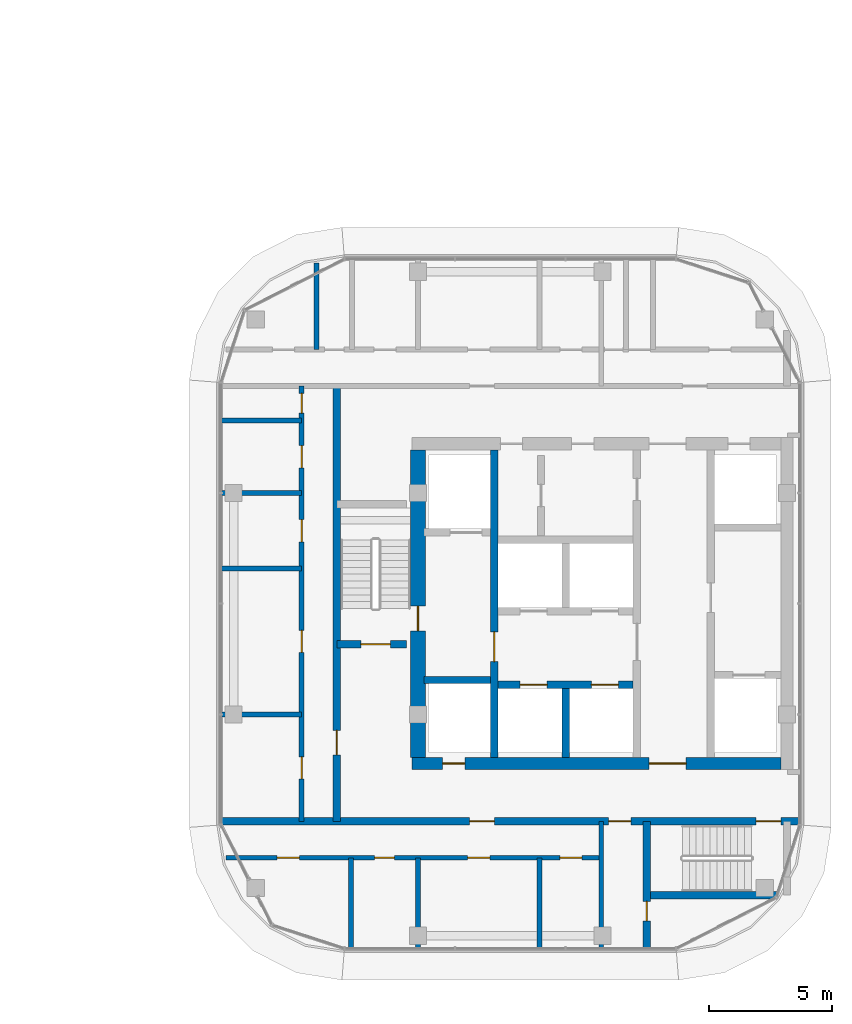
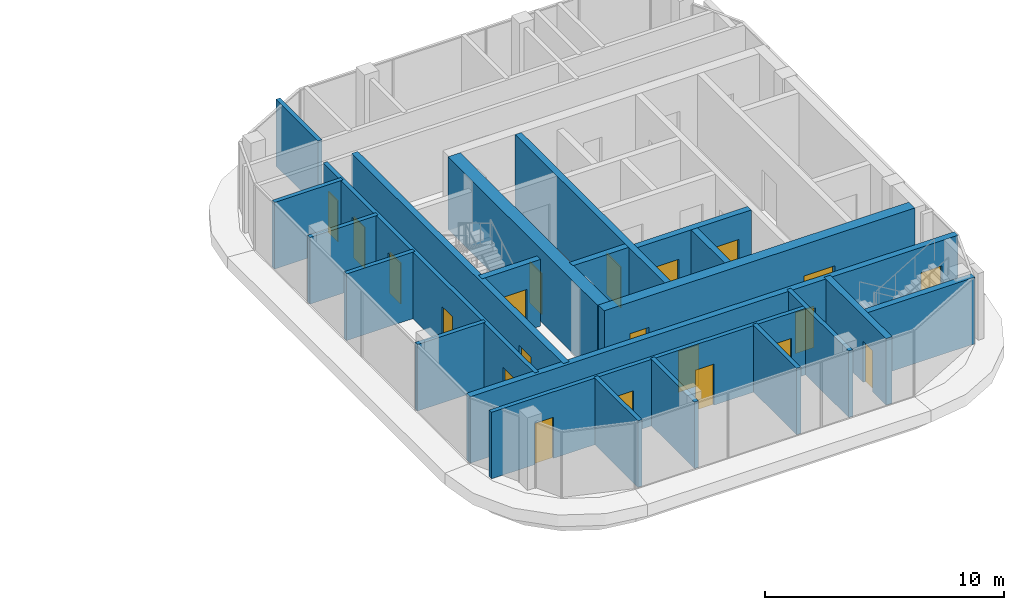
# One storey, part 20 of 33: 22 walls, 21 doors, 21 openings.
"""IFC4 building model written with IfcOpenShell, lengths in metres."""

from ifc_helpers import new_model, si_unit, direction, frame, frame_2d, origin, place, context, subcontext, project, spatial, rectangle, extrude, material, layer, layer_set, type_object, element, fill, save


model = new_model("IFC4")

# Units and contexts
model_context = context("Model", 3, precision=1e-05, world=origin(), true_north=direction((0.0, 1.0)))
body_context = subcontext(model_context, "Body", "Model", "MODEL_VIEW")
ifc_project = project(units=[si_unit("LENGTHUNIT", "METRE"), si_unit("AREAUNIT", "SQUARE_METRE"), si_unit("VOLUMEUNIT", "CUBIC_METRE"), si_unit("PLANEANGLEUNIT", "RADIAN"), si_unit("MASSUNIT", "GRAM", prefix="KILO")], contexts=[model_context])

# Site, building, storey
site_placement = place(None, origin())
site = spatial("IfcSite", under=ifc_project, at=site_placement, CompositionType="ELEMENT")
building_placement = place(site_placement, origin())
building = spatial("IfcBuilding", under=site, at=building_placement, Name="Ogive Portal Towers", CompositionType="ELEMENT")
storey_placement = place(building_placement, frame((0.0, 0.0, 98.199951171875)))
storey = spatial("IfcBuildingStorey", under=building, at=storey_placement, Name="L23", CompositionType="ELEMENT", Elevation=98.199951171875)

# Wall, opening, door
ifc_material_1 = material(Name="Concrete C60/75", Category="concrete")
ifc_layer_1 = layer(ifc_material_1, 0.300048828125)
ifc_layer_set_1 = layer_set([ifc_layer_1], Name="CORE WALL 300 C60")
wall_type_1 = type_object("IfcWallType", Name="CORE WALL 300 C60", PredefinedType="SHEAR", material=ifc_layer_set_1)
wall_1_placement = place(storey_placement, frame((132.10009765625, 24.75, 0.0), z_axis=(0.0, 0.0, 1.0), x_axis=(0.0, 1.0, 0.0)))
wall_1 = element("IfcWall", 1, at=wall_1_placement, inside=storey, type_object=wall_type_1, Name="Tower B core wall BX1 L23", PredefinedType="SHEAR", context=body_context, shape_type="SweptSolid", body=[
    extrude(rectangle(XDim=12.5, YDim=0.300048828125, at=frame_2d((6.25, 0.0))), origin(), (0.0, 0.0, 1.0), 3.699951171875),
])
opening_1_placement = place(wall_1_placement, frame((3.89990234375, 0.0, 0.0)))
opening_1 = element("IfcOpeningElement", 2, at=opening_1_placement, cuts=wall_1, Name="Opening B09-028", PredefinedType="OPENING", context=body_context, shape_type="SweptSolid", body=[
    extrude(rectangle(XDim=1.199951171875, YDim=2.10009765625, at=frame_2d((0.60009765625, 1.050048828125))), frame((0.0, 0.16015625, 0.0), z_axis=(0.0, -1.0, 0.0), x_axis=(1.0, 0.0, 0.0)), (0.0, 0.0, 1.0), 0.320068359375),
])
ifc_material_2 = material(Name="Steel fire door", Category="steel")
door_type_1 = type_object("IfcDoorType", Name="DT-SWING-1200x2100-FD90S", OperationType="SINGLE_SWING_LEFT", PredefinedType="DOOR", material=ifc_material_2)
door_1_placement = place(opening_1_placement, origin())
door_1 = element("IfcDoor", 3, at=door_1_placement, inside=storey, type_object=door_type_1, Name="Door B09-028", OperationType="SINGLE_SWING_LEFT", OverallHeight=2.10009765625, OverallWidth=1.199951171875, PredefinedType="DOOR", context=body_context, shape_type="SweptSolid", body=[
    extrude(rectangle(XDim=1.199951171875, YDim=2.10009765625, at=frame_2d((0.60009765625, 1.050048828125))), frame((0.0, 0.02490234375, 0.0), z_axis=(0.0, -1.0, 0.0), x_axis=(1.0, 0.0, 0.0)), (0.0, 0.0, 1.0), 0.050048828125),
])
fill(opening_1, door_1)

# Wall
wall_2_placement = place(storey_placement, frame((135.0, 24.75, 0.0), z_axis=(0.0, 0.0, 1.0), x_axis=(0.0, 1.0, 0.0)))
element("IfcWall", 4, at=wall_2_placement, inside=storey, type_object=wall_type_1, Name="Tower B core wall BX4 L23", PredefinedType="SHEAR", context=body_context, shape_type="SweptSolid", body=[
    extrude(rectangle(XDim=2.800048828125, YDim=0.300048828125, at=frame_2d((1.39990234375, 0.0))), origin(), (0.0, 0.0, 1.0), 3.699951171875),
])

# Wall, openings, doors
wall_3_placement = place(storey_placement, frame((132.25, 27.699951171875, 0.0), z_axis=(0.0, 0.0, 1.0), x_axis=(1.0, 0.0, 0.0)))
wall_3 = element("IfcWall", 5, at=wall_3_placement, inside=storey, type_object=wall_type_1, Name="Tower B core wall BY1 L23", PredefinedType="SHEAR", context=body_context, shape_type="SweptSolid", body=[
    extrude(rectangle(XDim=5.5, YDim=0.300048828125, at=frame_2d((2.75, 0.0))), origin(), (0.0, 0.0, 1.0), 3.699951171875),
])
opening_2_placement = place(wall_3_placement, frame((0.89990234375, 0.0, 0.0)))
opening_2 = element("IfcOpeningElement", 6, at=opening_2_placement, cuts=wall_3, Name="Opening B09-035", PredefinedType="OPENING", context=body_context, shape_type="SweptSolid", body=[
    extrude(rectangle(XDim=1.10009765625, YDim=2.39990234375, at=frame_2d((0.550048828125, 1.199951171875))), frame((0.0, 0.16015625, 0.0), z_axis=(0.0, -1.0, 0.0), x_axis=(1.0, 0.0, 0.0)), (0.0, 0.0, 1.0), 0.320068359375),
])
opening_3_placement = place(wall_3_placement, frame((3.800048828125, 0.0, 0.0)))
opening_3 = element("IfcOpeningElement", 7, at=opening_3_placement, cuts=wall_3, Name="Opening B09-036", PredefinedType="OPENING", context=body_context, shape_type="SweptSolid", body=[
    extrude(rectangle(XDim=1.10009765625, YDim=2.39990234375, at=frame_2d((0.550048828125, 1.199951171875))), frame((0.0, 0.16015625, 0.0), z_axis=(0.0, -1.0, 0.0), x_axis=(1.0, 0.0, 0.0)), (0.0, 0.0, 1.0), 0.320068359375),
])
ifc_material_3 = material(Name="Stainless steel", Category="steel")
door_type_2 = type_object("IfcDoorType", Name="DT-LD-1100x2400", OperationType="SLIDING_TO_LEFT", PredefinedType="DOOR", material=ifc_material_3)
door_2_placement = place(opening_2_placement, origin())
door_2 = element("IfcDoor", 8, at=door_2_placement, inside=storey, type_object=door_type_2, Name="Door B09-035", OperationType="SLIDING_TO_LEFT", OverallHeight=2.39990234375, OverallWidth=1.10009765625, PredefinedType="DOOR", context=body_context, shape_type="SweptSolid", body=[
    extrude(rectangle(XDim=1.10009765625, YDim=2.39990234375, at=frame_2d((0.550048828125, 1.199951171875))), frame((0.0, 0.02490234375, 0.0), z_axis=(0.0, -1.0, 0.0), x_axis=(1.0, 0.0, 0.0)), (0.0, 0.0, 1.0), 0.050048828125),
])
fill(opening_2, door_2)
door_3_placement = place(opening_3_placement, origin())
door_3 = element("IfcDoor", 9, at=door_3_placement, inside=storey, type_object=door_type_2, Name="Door B09-036", OperationType="SLIDING_TO_LEFT", OverallHeight=2.39990234375, OverallWidth=1.10009765625, PredefinedType="DOOR", context=body_context, shape_type="SweptSolid", body=[
    extrude(rectangle(XDim=1.10009765625, YDim=2.39990234375, at=frame_2d((0.550048828125, 1.199951171875))), frame((0.0, 0.02490234375, 0.0), z_axis=(0.0, -1.0, 0.0), x_axis=(1.0, 0.0, 0.0)), (0.0, 0.0, 1.0), 0.050048828125),
])
fill(opening_3, door_3)

# Wall
wall_4_placement = place(storey_placement, frame((129.25, 27.89990234375, 0.0), z_axis=(0.0, 0.0, 1.0), x_axis=(1.0, 0.0, 0.0)))
element("IfcWall", 10, at=wall_4_placement, inside=storey, type_object=wall_type_1, Name="Tower B core wall BY4 L23", PredefinedType="SHEAR", context=body_context, shape_type="SweptSolid", body=[
    extrude(rectangle(XDim=2.699951171875, YDim=0.300048828125, at=frame_2d((1.35009765625, 0.0))), origin(), (0.0, 0.0, 1.0), 3.699951171875),
])

# Wall, openings, doors
ifc_layer_2 = layer(ifc_material_1, 0.5)
ifc_layer_set_2 = layer_set([ifc_layer_2], Name="CORE WALL 500 C60")
wall_type_2 = type_object("IfcWallType", Name="CORE WALL 500 C60", PredefinedType="SHEAR", material=ifc_layer_set_2)
wall_5_placement = place(storey_placement, frame((128.75, 24.5, 0.0), z_axis=(0.0, 0.0, 1.0), x_axis=(1.0, 0.0, 0.0)))
wall_5 = element("IfcWall", 11, at=wall_5_placement, inside=storey, type_object=wall_type_2, Name="Tower B core wall BS L23", PredefinedType="SHEAR", context=body_context, shape_type="SweptSolid", body=[
    extrude(rectangle(XDim=15.0, YDim=0.5, at=frame_2d((7.5, 0.0))), origin(), (0.0, 0.0, 1.0), 3.699951171875),
])
opening_4_placement = place(wall_5_placement, frame((9.64990234375, 0.0, 0.0)))
opening_4 = element("IfcOpeningElement", 12, at=opening_4_placement, cuts=wall_5, Name="Opening B09-031", PredefinedType="OPENING", context=body_context, shape_type="SweptSolid", body=[
    extrude(rectangle(XDim=1.5, YDim=2.10009765625, at=frame_2d((0.75, 1.050048828125))), frame((0.0, 0.260009765625, 0.0), z_axis=(0.0, -1.0, 0.0), x_axis=(1.0, 0.0, 0.0)), (0.0, 0.0, 1.0), 0.52001953125),
])
opening_5_placement = place(wall_5_placement, frame((1.25, 0.0, 0.0)))
opening_5 = element("IfcOpeningElement", 13, at=opening_5_placement, cuts=wall_5, Name="Opening B09-033", PredefinedType="OPENING", context=body_context, shape_type="SweptSolid", body=[
    extrude(rectangle(XDim=0.89990234375, YDim=2.10009765625, at=frame_2d((0.449951171875, 1.050048828125))), frame((0.0, 0.260009765625, 0.0), z_axis=(0.0, -1.0, 0.0), x_axis=(1.0, 0.0, 0.0)), (0.0, 0.0, 1.0), 0.52001953125),
])
door_type_3 = type_object("IfcDoorType", Name="DT-SWING-1500x2100-FD90S", OperationType="SINGLE_SWING_LEFT", PredefinedType="DOOR", material=ifc_material_2)
door_4_placement = place(opening_4_placement, origin())
door_4 = element("IfcDoor", 14, at=door_4_placement, inside=storey, type_object=door_type_3, Name="Door B09-031", OperationType="SINGLE_SWING_LEFT", OverallHeight=2.10009765625, OverallWidth=1.5, PredefinedType="DOOR", context=body_context, shape_type="SweptSolid", body=[
    extrude(rectangle(XDim=1.5, YDim=2.10009765625, at=frame_2d((0.75, 1.050048828125))), frame((0.0, 0.02490234375, 0.0), z_axis=(0.0, -1.0, 0.0), x_axis=(1.0, 0.0, 0.0)), (0.0, 0.0, 1.0), 0.050048828125),
])
fill(opening_4, door_4)
door_type_4 = type_object("IfcDoorType", Name="DT-SWING-900x2100-FD90S", OperationType="SINGLE_SWING_LEFT", PredefinedType="DOOR", material=ifc_material_2)
door_5_placement = place(opening_5_placement, origin())
door_5 = element("IfcDoor", 15, at=door_5_placement, inside=storey, type_object=door_type_4, Name="Riser access door B09-033", OperationType="SINGLE_SWING_LEFT", OverallHeight=2.10009765625, OverallWidth=0.89990234375, PredefinedType="DOOR", context=body_context, shape_type="SweptSolid", body=[
    extrude(rectangle(XDim=0.89990234375, YDim=2.10009765625, at=frame_2d((0.449951171875, 1.050048828125))), frame((0.0, 0.02490234375, 0.0), z_axis=(0.0, -1.0, 0.0), x_axis=(1.0, 0.0, 0.0)), (0.0, 0.0, 1.0), 0.050048828125),
])
fill(opening_5, door_5)

# Wall, opening, door
ifc_layer_3 = layer(ifc_material_1, 0.60009765625)
ifc_layer_set_3 = layer_set([ifc_layer_3], Name="CORE WALL 600 C60")
wall_type_3 = type_object("IfcWallType", Name="CORE WALL 600 C60", PredefinedType="SHEAR", material=ifc_layer_set_3)
wall_6_placement = place(storey_placement, frame((129.0, 24.75, 0.0), z_axis=(0.0, 0.0, 1.0), x_axis=(0.0, 1.0, 0.0)))
wall_6 = element("IfcWall", 16, at=wall_6_placement, inside=storey, type_object=wall_type_3, Name="Tower B core wall BW L23", PredefinedType="SHEAR", context=body_context, shape_type="SweptSolid", body=[
    extrude(rectangle(XDim=12.5, YDim=0.60009765625, at=frame_2d((6.25, 0.0))), origin(), (0.0, 0.0, 1.0), 3.699951171875),
])
opening_6_placement = place(wall_6_placement, frame((5.14990234375, 0.0, 0.0)))
opening_6 = element("IfcOpeningElement", 17, at=opening_6_placement, cuts=wall_6, Name="Opening B09-030", PredefinedType="OPENING", context=body_context, shape_type="SweptSolid", body=[
    extrude(rectangle(XDim=1.0, YDim=2.10009765625, at=frame_2d((0.5, 1.050048828125))), frame((0.0, 0.31005859375, 0.0), z_axis=(0.0, -1.0, 0.0), x_axis=(1.0, 0.0, 0.0)), (0.0, 0.0, 1.0), 0.6201171875),
])
door_type_5 = type_object("IfcDoorType", Name="DT-SWING-1000x2100-FD90S", OperationType="SINGLE_SWING_LEFT", PredefinedType="DOOR", material=ifc_material_2)
door_6_placement = place(opening_6_placement, origin())
door_6 = element("IfcDoor", 18, at=door_6_placement, inside=storey, type_object=door_type_5, Name="Door B09-030", OperationType="SINGLE_SWING_RIGHT", OverallHeight=2.10009765625, OverallWidth=1.0, PredefinedType="DOOR", context=body_context, shape_type="SweptSolid", body=[
    extrude(rectangle(XDim=1.0, YDim=2.10009765625, at=frame_2d((0.5, 1.050048828125))), frame((0.0, 0.02490234375, 0.0), z_axis=(0.0, -1.0, 0.0), x_axis=(1.0, 0.0, 0.0)), (0.0, 0.0, 1.0), 0.050048828125),
])
fill(opening_6, door_6)

# Wall
ifc_material_4 = material(Name="Concrete C50/60", Category="concrete")
ifc_layer_4 = layer(ifc_material_4, 0.300048828125)
ifc_layer_set_4 = layer_set([ifc_layer_4], Name="STAIR WALL 300 C50")
wall_type_4 = type_object("IfcWallType", Name="STAIR WALL 300 C50", PredefinedType="SHEAR", material=ifc_layer_set_4)
wall_7_placement = place(storey_placement, frame((138.25, 19.14990234375, 0.0), z_axis=(0.0, 0.0, 1.0), x_axis=(1.0, 0.0, 0.0)))
element("IfcWall", 19, at=wall_7_placement, inside=storey, type_object=wall_type_4, Name="Stair wall ST-B2 L23", PredefinedType="SHEAR", context=body_context, shape_type="SweptSolid", body=[
    extrude(rectangle(XDim=5.373046875, YDim=0.300048828125, at=frame_2d((2.6865234375, 0.0))), origin(), (0.0, 0.0, 1.0), 3.400146484375),
])

# Wall, openings, doors
wall_8_placement = place(storey_placement, frame((120.969970703125, 22.14990234375, 0.0), z_axis=(0.0, 0.0, 1.0), x_axis=(1.0, 0.0, 0.0)))
wall_8 = element("IfcWall", 20, at=wall_8_placement, inside=storey, type_object=wall_type_4, Name="Stair wall ST-B2 L23", PredefinedType="SHEAR", context=body_context, shape_type="SweptSolid", body=[
    extrude(rectangle(XDim=23.56005859375, YDim=0.300048828125, at=frame_2d((11.780029296875, 0.0))), origin(), (0.0, 0.0, 1.0), 3.400146484375),
])
opening_7_placement = place(wall_8_placement, frame((21.780029296875, 0.0, 0.0)))
opening_7 = element("IfcOpeningElement", 21, at=opening_7_placement, cuts=wall_8, Name="Opening B09-002", PredefinedType="OPENING", context=body_context, shape_type="SweptSolid", body=[
    extrude(rectangle(XDim=1.0, YDim=2.10009765625, at=frame_2d((0.5, 1.050048828125))), frame((0.0, 0.16015625, 0.0), z_axis=(0.0, -1.0, 0.0), x_axis=(1.0, 0.0, 0.0)), (0.0, 0.0, 1.0), 0.320068359375),
])
opening_8_placement = place(wall_8_placement, frame((10.1298828125, 0.0, 0.0)))
opening_8 = element("IfcOpeningElement", 22, at=opening_8_placement, cuts=wall_8, Name="Opening B09-014", PredefinedType="OPENING", context=body_context, shape_type="SweptSolid", body=[
    extrude(rectangle(XDim=1.0, YDim=2.10009765625, at=frame_2d((0.5, 1.050048828125))), frame((0.0, 0.16015625, 0.0), z_axis=(0.0, -1.0, 0.0), x_axis=(1.0, 0.0, 0.0)), (0.0, 0.0, 1.0), 0.320068359375),
])
opening_9_placement = place(wall_8_placement, frame((15.780029296875, 0.0, 0.0)))
opening_9 = element("IfcOpeningElement", 23, at=opening_9_placement, cuts=wall_8, Name="Opening B09-019", PredefinedType="OPENING", context=body_context, shape_type="SweptSolid", body=[
    extrude(rectangle(XDim=0.89990234375, YDim=2.10009765625, at=frame_2d((0.449951171875, 1.050048828125))), frame((0.0, 0.16015625, 0.0), z_axis=(0.0, -1.0, 0.0), x_axis=(1.0, 0.0, 0.0)), (0.0, 0.0, 1.0), 0.320068359375),
])
door_7_placement = place(opening_7_placement, origin())
door_7 = element("IfcDoor", 24, at=door_7_placement, inside=storey, type_object=door_type_5, Name="Door B09-002", OperationType="SINGLE_SWING_RIGHT", OverallHeight=2.10009765625, OverallWidth=1.0, PredefinedType="DOOR", context=body_context, shape_type="SweptSolid", body=[
    extrude(rectangle(XDim=1.0, YDim=2.10009765625, at=frame_2d((0.5, 1.050048828125))), frame((0.0, 0.02490234375, 0.0), z_axis=(0.0, -1.0, 0.0), x_axis=(1.0, 0.0, 0.0)), (0.0, 0.0, 1.0), 0.050048828125),
])
fill(opening_7, door_7)
door_8_placement = place(opening_8_placement, origin())
door_8 = element("IfcDoor", 25, at=door_8_placement, inside=storey, type_object=door_type_5, Name="Door B09-014", OperationType="SINGLE_SWING_RIGHT", OverallHeight=2.10009765625, OverallWidth=1.0, PredefinedType="DOOR", context=body_context, shape_type="SweptSolid", body=[
    extrude(rectangle(XDim=1.0, YDim=2.10009765625, at=frame_2d((0.5, 1.050048828125))), frame((0.0, 0.02490234375, 0.0), z_axis=(0.0, -1.0, 0.0), x_axis=(1.0, 0.0, 0.0)), (0.0, 0.0, 1.0), 0.050048828125),
])
fill(opening_8, door_8)
door_9_placement = place(opening_9_placement, origin())
door_9 = element("IfcDoor", 26, at=door_9_placement, inside=storey, type_object=door_type_4, Name="Door B09-019", OperationType="SINGLE_SWING_LEFT", OverallHeight=2.10009765625, OverallWidth=0.89990234375, PredefinedType="DOOR", context=body_context, shape_type="SweptSolid", body=[
    extrude(rectangle(XDim=0.89990234375, YDim=2.10009765625, at=frame_2d((0.449951171875, 1.050048828125))), frame((0.0, 0.02490234375, 0.0), z_axis=(0.0, -1.0, 0.0), x_axis=(1.0, 0.0, 0.0)), (0.0, 0.0, 1.0), 0.050048828125),
])
fill(opening_9, door_9)

# Wall, opening, door
wall_9_placement = place(storey_placement, frame((125.699951171875, 29.35009765625, 0.0), z_axis=(0.0, 0.0, 1.0), x_axis=(1.0, 0.0, 0.0)))
wall_9 = element("IfcWall", 27, at=wall_9_placement, inside=storey, type_object=wall_type_4, Name="Stair wall ST-B1 L23", PredefinedType="SHEAR", context=body_context, shape_type="SweptSolid", body=[
    extrude(rectangle(XDim=2.830078125, YDim=0.300048828125, at=frame_2d((1.4150390625, 0.0))), origin(), (0.0, 0.0, 1.0), 3.400146484375),
])
opening_10_placement = place(wall_9_placement, frame((0.97509765625, 0.0, 0.0)))
opening_10 = element("IfcOpeningElement", 28, at=opening_10_placement, cuts=wall_9, Name="Opening B09-001", PredefinedType="OPENING", context=body_context, shape_type="SweptSolid", body=[
    extrude(rectangle(XDim=1.199951171875, YDim=2.10009765625, at=frame_2d((0.60009765625, 1.050048828125))), frame((0.0, 0.16015625, 0.0), z_axis=(0.0, -1.0, 0.0), x_axis=(1.0, 0.0, 0.0)), (0.0, 0.0, 1.0), 0.320068359375),
])
door_10_placement = place(opening_10_placement, origin())
door_10 = element("IfcDoor", 29, at=door_10_placement, inside=storey, type_object=door_type_1, Name="Door B09-001", OperationType="SINGLE_SWING_LEFT", OverallHeight=2.10009765625, OverallWidth=1.199951171875, PredefinedType="DOOR", context=body_context, shape_type="SweptSolid", body=[
    extrude(rectangle(XDim=1.199951171875, YDim=2.10009765625, at=frame_2d((0.60009765625, 1.050048828125))), frame((0.0, 0.02490234375, 0.0), z_axis=(0.0, -1.0, 0.0), x_axis=(1.0, 0.0, 0.0)), (0.0, 0.0, 1.0), 0.050048828125),
])
fill(opening_10, door_10)

wall_10_placement = place(storey_placement, frame((125.699951171875, 22.14990234375, 0.0), z_axis=(0.0, 0.0, 1.0), x_axis=(0.0, 1.0, 0.0)))
wall_10 = element("IfcWall", 30, at=wall_10_placement, inside=storey, type_object=wall_type_4, Name="Stair wall ST-B1 L23", PredefinedType="SHEAR", context=body_context, shape_type="SweptSolid", body=[
    extrude(rectangle(XDim=17.7001953125, YDim=0.300048828125, at=frame_2d((8.85009765625, 0.0))), origin(), (0.0, 0.0, 1.0), 3.400146484375),
])
opening_11_placement = place(wall_10_placement, frame((2.699951171875, 0.0, 0.0)))
opening_11 = element("IfcOpeningElement", 31, at=opening_11_placement, cuts=wall_10, Name="Opening B09-021", PredefinedType="OPENING", context=body_context, shape_type="SweptSolid", body=[
    extrude(rectangle(XDim=1.0, YDim=2.10009765625, at=frame_2d((0.5, 1.050048828125))), frame((0.0, 0.16015625, 0.0), z_axis=(0.0, -1.0, 0.0), x_axis=(1.0, 0.0, 0.0)), (0.0, 0.0, 1.0), 0.320068359375),
])
door_11_placement = place(opening_11_placement, origin())
door_11 = element("IfcDoor", 32, at=door_11_placement, inside=storey, type_object=door_type_5, Name="Door B09-021", OperationType="SINGLE_SWING_LEFT", OverallHeight=2.10009765625, OverallWidth=1.0, PredefinedType="DOOR", context=body_context, shape_type="SweptSolid", body=[
    extrude(rectangle(XDim=1.0, YDim=2.10009765625, at=frame_2d((0.5, 1.050048828125))), frame((0.0, 0.02490234375, 0.0), z_axis=(0.0, -1.0, 0.0), x_axis=(1.0, 0.0, 0.0)), (0.0, 0.0, 1.0), 0.050048828125),
])
fill(opening_11, door_11)

wall_11_placement = place(storey_placement, frame((138.300048828125, 16.969970703125, 0.0), z_axis=(0.0, 0.0, 1.0), x_axis=(0.0, 1.0, 0.0)))
wall_11 = element("IfcWall", 33, at=wall_11_placement, inside=storey, type_object=wall_type_4, Name="Stair wall ST-B2 L23", PredefinedType="SHEAR", context=body_context, shape_type="SweptSolid", body=[
    extrude(rectangle(XDim=5.179931640625, YDim=0.300048828125, at=frame_2d((2.58984375, 0.0))), origin(), (0.0, 0.0, 1.0), 3.400146484375),
])
opening_12_placement = place(wall_11_placement, frame((1.1298828125, 0.0, 0.0)))
opening_12 = element("IfcOpeningElement", 34, at=opening_12_placement, cuts=wall_11, Name="Opening B09-020", PredefinedType="OPENING", context=body_context, shape_type="SweptSolid", body=[
    extrude(rectangle(XDim=0.800048828125, YDim=2.10009765625, at=frame_2d((0.39990234375, 1.050048828125))), frame((0.0, 0.16015625, 0.0), z_axis=(0.0, -1.0, 0.0), x_axis=(1.0, 0.0, 0.0)), (0.0, 0.0, 1.0), 0.320068359375),
])
door_type_6 = type_object("IfcDoorType", Name="DT-SWING-800x2100-FD90S", OperationType="SINGLE_SWING_LEFT", PredefinedType="DOOR", material=ifc_material_2)
door_12_placement = place(opening_12_placement, origin())
door_12 = element("IfcDoor", 35, at=door_12_placement, inside=storey, type_object=door_type_6, Name="Door B09-020", OperationType="SINGLE_SWING_RIGHT", OverallHeight=2.10009765625, OverallWidth=0.800048828125, PredefinedType="DOOR", context=body_context, shape_type="SweptSolid", body=[
    extrude(rectangle(XDim=0.800048828125, YDim=2.10009765625, at=frame_2d((0.39990234375, 1.050048828125))), frame((0.0, 0.02490234375, 0.0), z_axis=(0.0, -1.0, 0.0), x_axis=(1.0, 0.0, 0.0)), (0.0, 0.0, 1.0), 0.050048828125),
])
fill(opening_12, door_12)

# Wall, openings, doors
ifc_material_5 = material(Name="Gypsum board partition on steel studs", Category="steel")
ifc_layer_5 = layer(ifc_material_5, 0.199951171875)
ifc_layer_set_5 = layer_set([ifc_layer_5], Name="WT-PART-200-EI 60")
wall_type_5 = type_object("IfcWallType", Name="WT-PART-200-EI 60", PredefinedType="PARTITIONING", material=ifc_layer_set_5)
wall_12_placement = place(storey_placement, frame((121.181884765625, 20.669921875, 0.0), z_axis=(0.0, 0.0, 1.0), x_axis=(1.0, 0.0, 0.0)))
wall_12 = element("IfcWall", 36, at=wall_12_placement, inside=storey, type_object=wall_type_5, Name="Wall L23:w002", PredefinedType="PARTITIONING", context=body_context, shape_type="SweptSolid", body=[
    extrude(rectangle(XDim=15.318115234375, YDim=0.199951171875, at=frame_2d((7.6591796875, 0.0))), origin(), (0.0, 0.0, 1.0), 3.400146484375),
])
opening_13_placement = place(wall_12_placement, frame((2.092041015625, 0.0, 0.0)))
opening_13 = element("IfcOpeningElement", 37, at=opening_13_placement, cuts=wall_12, Name="Opening B09-015", PredefinedType="OPENING", context=body_context, shape_type="SweptSolid", body=[
    extrude(rectangle(XDim=0.89990234375, YDim=2.10009765625, at=frame_2d((0.449951171875, 1.050048828125))), frame((0.0, 0.10986328125, 0.0), z_axis=(0.0, -1.0, 0.0), x_axis=(1.0, 0.0, 0.0)), (0.0, 0.0, 1.0), 0.219970703125),
])
opening_14_placement = place(wall_12_placement, frame((6.052978515625, 0.0, 0.0)))
opening_14 = element("IfcOpeningElement", 38, at=opening_14_placement, cuts=wall_12, Name="Opening B09-016", PredefinedType="OPENING", context=body_context, shape_type="SweptSolid", body=[
    extrude(rectangle(XDim=0.800048828125, YDim=2.10009765625, at=frame_2d((0.39990234375, 1.050048828125))), frame((0.0, 0.10986328125, 0.0), z_axis=(0.0, -1.0, 0.0), x_axis=(1.0, 0.0, 0.0)), (0.0, 0.0, 1.0), 0.219970703125),
])
opening_15_placement = place(wall_12_placement, frame((9.8349609375, 0.0, 0.0)))
opening_15 = element("IfcOpeningElement", 39, at=opening_15_placement, cuts=wall_12, Name="Opening B09-017", PredefinedType="OPENING", context=body_context, shape_type="SweptSolid", body=[
    extrude(rectangle(XDim=0.89990234375, YDim=2.10009765625, at=frame_2d((0.449951171875, 1.050048828125))), frame((0.0, 0.10986328125, 0.0), z_axis=(0.0, -1.0, 0.0), x_axis=(1.0, 0.0, 0.0)), (0.0, 0.0, 1.0), 0.219970703125),
])
opening_16_placement = place(wall_12_placement, frame((13.5849609375, 0.0, 0.0)))
opening_16 = element("IfcOpeningElement", 40, at=opening_16_placement, cuts=wall_12, Name="Opening B09-018", PredefinedType="OPENING", context=body_context, shape_type="SweptSolid", body=[
    extrude(rectangle(XDim=0.89990234375, YDim=2.10009765625, at=frame_2d((0.449951171875, 1.050048828125))), frame((0.0, 0.10986328125, 0.0), z_axis=(0.0, -1.0, 0.0), x_axis=(1.0, 0.0, 0.0)), (0.0, 0.0, 1.0), 0.219970703125),
])
door_type_7 = type_object("IfcDoorType", Name="DT-SWING-800x2100-FD60S", OperationType="SINGLE_SWING_LEFT", PredefinedType="DOOR", material=ifc_material_2)
door_13_placement = place(opening_14_placement, origin())
door_13 = element("IfcDoor", 41, at=door_13_placement, inside=storey, type_object=door_type_7, Name="Door B09-016", OperationType="SINGLE_SWING_RIGHT", OverallHeight=2.10009765625, OverallWidth=0.800048828125, PredefinedType="DOOR", context=body_context, shape_type="SweptSolid", body=[
    extrude(rectangle(XDim=0.800048828125, YDim=2.10009765625, at=frame_2d((0.39990234375, 1.050048828125))), frame((0.0, 0.02490234375, 0.0), z_axis=(0.0, -1.0, 0.0), x_axis=(1.0, 0.0, 0.0)), (0.0, 0.0, 1.0), 0.050048828125),
])
fill(opening_14, door_13)
door_type_8 = type_object("IfcDoorType", Name="DT-SWING-900x2100-FD60S", OperationType="SINGLE_SWING_LEFT", PredefinedType="DOOR", material=ifc_material_2)
door_14_placement = place(opening_13_placement, origin())
door_14 = element("IfcDoor", 42, at=door_14_placement, inside=storey, type_object=door_type_8, Name="Door B09-015", OperationType="SINGLE_SWING_LEFT", OverallHeight=2.10009765625, OverallWidth=0.89990234375, PredefinedType="DOOR", context=body_context, shape_type="SweptSolid", body=[
    extrude(rectangle(XDim=0.89990234375, YDim=2.10009765625, at=frame_2d((0.449951171875, 1.050048828125))), frame((0.0, 0.02490234375, 0.0), z_axis=(0.0, -1.0, 0.0), x_axis=(1.0, 0.0, 0.0)), (0.0, 0.0, 1.0), 0.050048828125),
])
fill(opening_13, door_14)
door_15_placement = place(opening_15_placement, origin())
door_15 = element("IfcDoor", 43, at=door_15_placement, inside=storey, type_object=door_type_8, Name="Door B09-017", OperationType="SINGLE_SWING_LEFT", OverallHeight=2.10009765625, OverallWidth=0.89990234375, PredefinedType="DOOR", context=body_context, shape_type="SweptSolid", body=[
    extrude(rectangle(XDim=0.89990234375, YDim=2.10009765625, at=frame_2d((0.449951171875, 1.050048828125))), frame((0.0, 0.02490234375, 0.0), z_axis=(0.0, -1.0, 0.0), x_axis=(1.0, 0.0, 0.0)), (0.0, 0.0, 1.0), 0.050048828125),
])
fill(opening_15, door_15)
door_16_placement = place(opening_16_placement, origin())
door_16 = element("IfcDoor", 44, at=door_16_placement, inside=storey, type_object=door_type_8, Name="Door B09-018", OperationType="SINGLE_SWING_RIGHT", OverallHeight=2.10009765625, OverallWidth=0.89990234375, PredefinedType="DOOR", context=body_context, shape_type="SweptSolid", body=[
    extrude(rectangle(XDim=0.89990234375, YDim=2.10009765625, at=frame_2d((0.449951171875, 1.050048828125))), frame((0.0, 0.02490234375, 0.0), z_axis=(0.0, -1.0, 0.0), x_axis=(1.0, 0.0, 0.0)), (0.0, 0.0, 1.0), 0.050048828125),
])
fill(opening_16, door_16)

# Walls
for number, where, z_axis, x_axis, name in (
    (45, (120.969970703125, 26.5, 0.0), (0.0, 0.0, 1.0), (1.0, 0.0, 0.0), "Wall L23:w006"),
    (46, (120.969970703125, 32.43310546875, 0.0), (0.0, 0.0, 1.0), (1.0, 0.0, 0.0), "Wall L23:w008"),
    (47, (120.969970703125, 35.5, 0.0), (0.0, 0.0, 1.0), (1.0, 0.0, 0.0), "Wall L23:w010"),
    (48, (120.969970703125, 38.4560546875, 0.0), (0.0, 0.0, 1.0), (1.0, 0.0, 0.0), "Wall L23:w013"),
):
    element("IfcWall", number, at=place(storey_placement, frame(where, z_axis=z_axis, x_axis=x_axis)), inside=storey, type_object=wall_type_5, Name=name, PredefinedType="PARTITIONING", context=body_context, shape_type="SweptSolid", body=[
        extrude(rectangle(XDim=3.300048828125, YDim=0.199951171875, at=frame_2d((1.64990234375, 0.0))), origin(), (0.0, 0.0, 1.0), 3.400146484375),
    ])

# Wall, openings, doors
wall_13_placement = place(storey_placement, frame((124.27001953125, 22.14990234375, 0.0), z_axis=(0.0, 0.0, 1.0), x_axis=(0.0, 1.0, 0.0)))
wall_13 = element("IfcWall", 49, at=wall_13_placement, inside=storey, type_object=wall_type_5, Name="Wall L23:w016", PredefinedType="PARTITIONING", context=body_context, shape_type="SweptSolid", body=[
    extrude(rectangle(XDim=17.7001953125, YDim=0.199951171875, at=frame_2d((8.85009765625, 0.0))), origin(), (0.0, 0.0, 1.0), 3.400146484375),
])
opening_17_placement = place(wall_13_placement, frame((1.72509765625, 0.0, 0.0)))
opening_17 = element("IfcOpeningElement", 50, at=opening_17_placement, cuts=wall_13, Name="Opening B09-022", PredefinedType="OPENING", context=body_context, shape_type="SweptSolid", body=[
    extrude(rectangle(XDim=0.89990234375, YDim=2.10009765625, at=frame_2d((0.449951171875, 1.050048828125))), frame((0.0, 0.10986328125, 0.0), z_axis=(0.0, -1.0, 0.0), x_axis=(1.0, 0.0, 0.0)), (0.0, 0.0, 1.0), 0.219970703125),
])
opening_18_placement = place(wall_13_placement, frame((6.866943359375, 0.0, 0.0)))
opening_18 = element("IfcOpeningElement", 51, at=opening_18_placement, cuts=wall_13, Name="Opening B09-023", PredefinedType="OPENING", context=body_context, shape_type="SweptSolid", body=[
    extrude(rectangle(XDim=0.89990234375, YDim=2.10009765625, at=frame_2d((0.449951171875, 1.050048828125))), frame((0.0, 0.10986328125, 0.0), z_axis=(0.0, -1.0, 0.0), x_axis=(1.0, 0.0, 0.0)), (0.0, 0.0, 1.0), 0.219970703125),
])
opening_19_placement = place(wall_13_placement, frame((11.366943359375, 0.0, 0.0)))
opening_19 = element("IfcOpeningElement", 52, at=opening_19_placement, cuts=wall_13, Name="Opening B09-024", PredefinedType="OPENING", context=body_context, shape_type="SweptSolid", body=[
    extrude(rectangle(XDim=0.89990234375, YDim=2.10009765625, at=frame_2d((0.449951171875, 1.050048828125))), frame((0.0, 0.10986328125, 0.0), z_axis=(0.0, -1.0, 0.0), x_axis=(1.0, 0.0, 0.0)), (0.0, 0.0, 1.0), 0.219970703125),
])
opening_20_placement = place(wall_13_placement, frame((14.3779296875, 0.0, 0.0)))
opening_20 = element("IfcOpeningElement", 53, at=opening_20_placement, cuts=wall_13, Name="Opening B09-025", PredefinedType="OPENING", context=body_context, shape_type="SweptSolid", body=[
    extrude(rectangle(XDim=0.89990234375, YDim=2.10009765625, at=frame_2d((0.449951171875, 1.050048828125))), frame((0.0, 0.10986328125, 0.0), z_axis=(0.0, -1.0, 0.0), x_axis=(1.0, 0.0, 0.0)), (0.0, 0.0, 1.0), 0.219970703125),
])
opening_21_placement = place(wall_13_placement, frame((16.60302734375, 0.0, 0.0)))
opening_21 = element("IfcOpeningElement", 54, at=opening_21_placement, cuts=wall_13, Name="Opening B09-026", PredefinedType="OPENING", context=body_context, shape_type="SweptSolid", body=[
    extrude(rectangle(XDim=0.800048828125, YDim=2.10009765625, at=frame_2d((0.39990234375, 1.050048828125))), frame((0.0, 0.10986328125, 0.0), z_axis=(0.0, -1.0, 0.0), x_axis=(1.0, 0.0, 0.0)), (0.0, 0.0, 1.0), 0.219970703125),
])
door_17_placement = place(opening_21_placement, origin())
door_17 = element("IfcDoor", 55, at=door_17_placement, inside=storey, type_object=door_type_7, Name="Door B09-026", OperationType="SINGLE_SWING_RIGHT", OverallHeight=2.10009765625, OverallWidth=0.800048828125, PredefinedType="DOOR", context=body_context, shape_type="SweptSolid", body=[
    extrude(rectangle(XDim=0.800048828125, YDim=2.10009765625, at=frame_2d((0.39990234375, 1.050048828125))), frame((0.0, 0.02490234375, 0.0), z_axis=(0.0, -1.0, 0.0), x_axis=(1.0, 0.0, 0.0)), (0.0, 0.0, 1.0), 0.050048828125),
])
fill(opening_21, door_17)
door_18_placement = place(opening_17_placement, origin())
door_18 = element("IfcDoor", 56, at=door_18_placement, inside=storey, type_object=door_type_8, Name="Door B09-022", OperationType="SINGLE_SWING_RIGHT", OverallHeight=2.10009765625, OverallWidth=0.89990234375, PredefinedType="DOOR", context=body_context, shape_type="SweptSolid", body=[
    extrude(rectangle(XDim=0.89990234375, YDim=2.10009765625, at=frame_2d((0.449951171875, 1.050048828125))), frame((0.0, 0.02490234375, 0.0), z_axis=(0.0, -1.0, 0.0), x_axis=(1.0, 0.0, 0.0)), (0.0, 0.0, 1.0), 0.050048828125),
])
fill(opening_17, door_18)
door_19_placement = place(opening_18_placement, origin())
door_19 = element("IfcDoor", 57, at=door_19_placement, inside=storey, type_object=door_type_8, Name="Door B09-023", OperationType="SINGLE_SWING_LEFT", OverallHeight=2.10009765625, OverallWidth=0.89990234375, PredefinedType="DOOR", context=body_context, shape_type="SweptSolid", body=[
    extrude(rectangle(XDim=0.89990234375, YDim=2.10009765625, at=frame_2d((0.449951171875, 1.050048828125))), frame((0.0, 0.02490234375, 0.0), z_axis=(0.0, -1.0, 0.0), x_axis=(1.0, 0.0, 0.0)), (0.0, 0.0, 1.0), 0.050048828125),
])
fill(opening_18, door_19)
door_20_placement = place(opening_19_placement, origin())
door_20 = element("IfcDoor", 58, at=door_20_placement, inside=storey, type_object=door_type_8, Name="Door B09-024", OperationType="SINGLE_SWING_RIGHT", OverallHeight=2.10009765625, OverallWidth=0.89990234375, PredefinedType="DOOR", context=body_context, shape_type="SweptSolid", body=[
    extrude(rectangle(XDim=0.89990234375, YDim=2.10009765625, at=frame_2d((0.449951171875, 1.050048828125))), frame((0.0, 0.02490234375, 0.0), z_axis=(0.0, -1.0, 0.0), x_axis=(1.0, 0.0, 0.0)), (0.0, 0.0, 1.0), 0.050048828125),
])
fill(opening_19, door_20)
door_21_placement = place(opening_20_placement, origin())
door_21 = element("IfcDoor", 59, at=door_21_placement, inside=storey, type_object=door_type_8, Name="Door B09-025", OperationType="SINGLE_SWING_LEFT", OverallHeight=2.10009765625, OverallWidth=0.89990234375, PredefinedType="DOOR", context=body_context, shape_type="SweptSolid", body=[
    extrude(rectangle(XDim=0.89990234375, YDim=2.10009765625, at=frame_2d((0.449951171875, 1.050048828125))), frame((0.0, 0.02490234375, 0.0), z_axis=(0.0, -1.0, 0.0), x_axis=(1.0, 0.0, 0.0)), (0.0, 0.0, 1.0), 0.050048828125),
])
fill(opening_20, door_21)

# Walls
wall_14_placement = place(storey_placement, frame((124.8779296875, 41.330078125, 0.0), z_axis=(0.0, 0.0, 1.0), x_axis=(0.0, 1.0, 0.0)))
element("IfcWall", 60, at=wall_14_placement, inside=storey, type_object=wall_type_5, Name="Wall L23:w017", PredefinedType="PARTITIONING", context=body_context, shape_type="SweptSolid", body=[
    extrude(rectangle(XDim=3.52099609375, YDim=0.199951171875, at=frame_2d((1.760498046875, 0.0))), origin(), (0.0, 0.0, 1.0), 3.400146484375),
])
for number, where, z_axis, x_axis, name in (
    (61, (126.27001953125, 16.969970703125, 0.0), (0.0, 0.0, 1.0), (0.0, 1.0, 0.0), "Wall L23:w019"),
    (62, (129.0, 16.969970703125, 0.0), (0.0, 0.0, 1.0), (0.0, 1.0, 0.0), "Wall L23:w023"),
    (63, (133.93310546875, 16.969970703125, 0.0), (0.0, 0.0, 1.0), (0.0, 1.0, 0.0), "Wall L23:w025"),
):
    element("IfcWall", number, at=place(storey_placement, frame(where, z_axis=z_axis, x_axis=x_axis)), inside=storey, type_object=wall_type_5, Name=name, PredefinedType="PARTITIONING", context=body_context, shape_type="SweptSolid", body=[
        extrude(rectangle(XDim=3.699951171875, YDim=0.199951171875, at=frame_2d((1.85009765625, 0.0))), origin(), (0.0, 0.0, 1.0), 3.400146484375),
    ])
wall_15_placement = place(storey_placement, frame((136.449951171875, 16.969970703125, 0.0), z_axis=(0.0, 0.0, 1.0), x_axis=(0.0, 1.0, 0.0)))
element("IfcWall", 64, at=wall_15_placement, inside=storey, type_object=wall_type_5, Name="Wall L23:w028", PredefinedType="PARTITIONING", context=body_context, shape_type="SweptSolid", body=[
    extrude(rectangle(XDim=5.179931640625, YDim=0.199951171875, at=frame_2d((2.58984375, 0.0))), origin(), (0.0, 0.0, 1.0), 3.400146484375),
])

save(model, "model.ifc")
